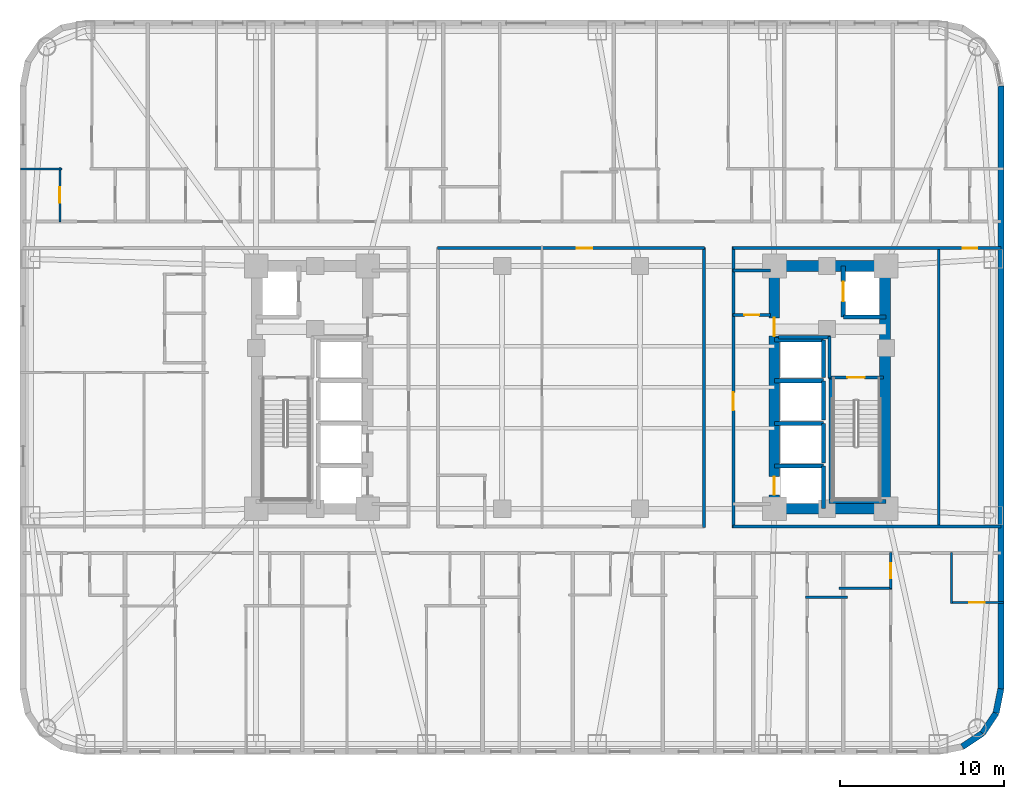
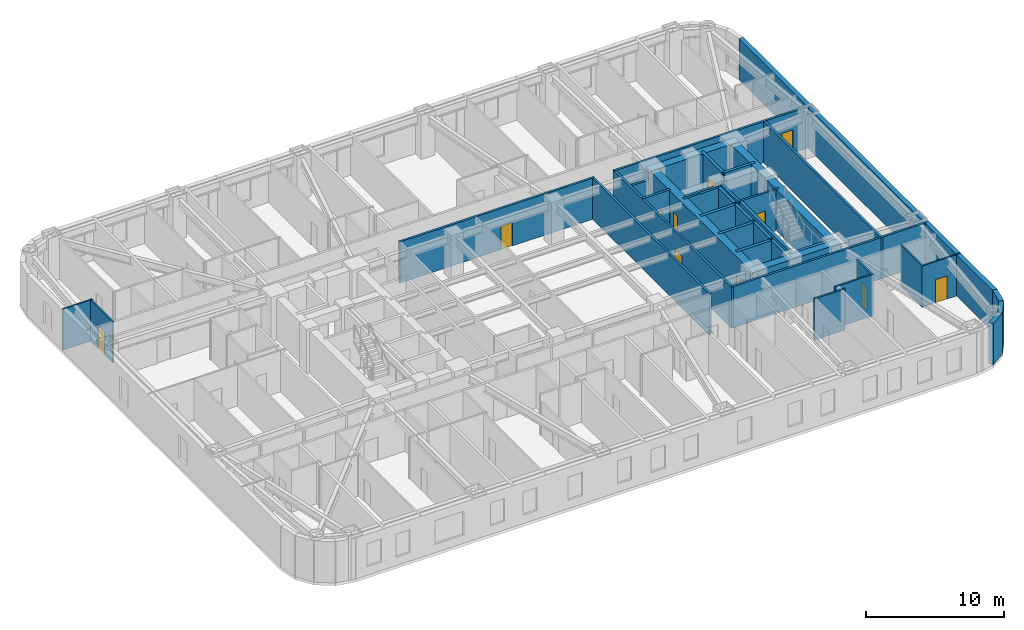
# One storey, part 6 of 11: 38 walls, 11 doors, 11 openings.
"""IFC4 building model written with IfcOpenShell, lengths in metres."""

from ifc_helpers import new_model, si_unit, direction, frame, frame_2d, origin, place, context, subcontext, project, spatial, rectangle, extrude, material, layer, layer_set, type_object, element, fill, save


model = new_model("IFC4")

# Units and contexts
model_context = context("Model", 3, precision=1e-05, world=origin(), true_north=direction((0.0, 1.0)))
body_context = subcontext(model_context, "Body", "Model", "MODEL_VIEW")
ifc_project = project(units=[si_unit("LENGTHUNIT", "METRE"), si_unit("AREAUNIT", "SQUARE_METRE"), si_unit("VOLUMEUNIT", "CUBIC_METRE"), si_unit("PLANEANGLEUNIT", "RADIAN"), si_unit("MASSUNIT", "GRAM", prefix="KILO")], contexts=[model_context])

# Site, building, storey
site_placement = place(None, origin())
site = spatial("IfcSite", under=ifc_project, at=site_placement, CompositionType="ELEMENT")
building_placement = place(site_placement, origin())
building = spatial("IfcBuilding", under=site, at=building_placement, Name="Voryun Gate Residences", CompositionType="ELEMENT")
storey_placement = place(building_placement, frame((0.0, 0.0, 37.699951171875)))
storey = spatial("IfcBuildingStorey", under=building, at=storey_placement, Name="L08", CompositionType="ELEMENT", Elevation=37.699951171875)

# Walls
ifc_material_1 = material(Name="Concrete C60/75", Category="concrete")
ifc_layer_1 = layer(ifc_material_1, 0.64990234375, Name="CW_CORE_650")
ifc_layer_set_1 = layer_set([ifc_layer_1], Name="Concrete C60/75")
wall_type_1 = type_object("IfcWallType", Name="CW_CORE_650", PredefinedType="SHEAR", material=ifc_layer_set_1)
for number, where, z_axis, x_axis, name in (
    (1, (12.074951171875, -7.39990234375, 0.0), (0.0, 0.0, 1.0), (1.0, 0.0, 0.0), "L08 Core shear wall CW-L08-ES"),
    (2, (12.074951171875, 7.39990234375, 0.0), (0.0, 0.0, 1.0), (1.0, 0.0, 0.0), "L08 Core shear wall CW-L08-EN"),
):
    element("IfcWall", number, at=place(storey_placement, frame(where, z_axis=z_axis, x_axis=x_axis)), inside=storey, type_object=wall_type_1, Name=name, PredefinedType="SHEAR", context=body_context, shape_type="SweptSolid", body=[
        extrude(rectangle(XDim=7.449951171875, YDim=0.64990234375, at=frame_2d((3.72509765625, 0.0))), origin(), (0.0, 0.0, 1.0), 3.650146484375),
    ])

# Wall, openings, doors
wall_1_placement = place(storey_placement, frame((12.39990234375, -7.39990234375, 0.0), z_axis=(0.0, 0.0, 1.0), x_axis=(0.0, 1.0, 0.0)))
wall_1 = element("IfcWall", 3, at=wall_1_placement, inside=storey, type_object=wall_type_1, Name="L08 Core shear wall CW-L08-EW", PredefinedType="SHEAR", context=body_context, shape_type="SweptSolid", body=[
    extrude(rectangle(XDim=14.7998046875, YDim=0.64990234375, at=frame_2d((7.39990234375, 0.0))), origin(), (0.0, 0.0, 1.0), 3.650146484375),
])
opening_1_placement = place(wall_1_placement, frame((0.85009765625, 0.0, 0.0)))
opening_1 = element("IfcOpeningElement", 4, at=opening_1_placement, cuts=wall_1, Name="Opening LD2", PredefinedType="OPENING", context=body_context, shape_type="SweptSolid", body=[
    extrude(rectangle(XDim=1.10009765625, YDim=2.050048828125, at=frame_2d((0.550048828125, 1.02490234375))), frame((0.0, 0.3349609375, 0.0), z_axis=(0.0, -1.0, 0.0), x_axis=(1.0, 0.0, 0.0)), (0.0, 0.0, 1.0), 0.669921875),
])
opening_2_placement = place(wall_1_placement, frame((10.530029296875, 0.0, 0.0)))
opening_2 = element("IfcOpeningElement", 5, at=opening_2_placement, cuts=wall_1, Name="Opening D-FD60-2", PredefinedType="OPENING", context=body_context, shape_type="SweptSolid", body=[
    extrude(rectangle(XDim=1.10009765625, YDim=2.050048828125, at=frame_2d((0.550048828125, 1.02490234375))), frame((0.0, 0.3349609375, 0.0), z_axis=(0.0, -1.0, 0.0), x_axis=(1.0, 0.0, 0.0)), (0.0, 0.0, 1.0), 0.669921875),
])
ifc_material_2 = material(Name="Painted steel fire door", Category="steel")
door_type_1 = type_object("IfcDoorType", Name="DR_FD60_FFLOB_1100", OperationType="NOTDEFINED", PredefinedType="DOOR", material=ifc_material_2)
door_1_placement = place(opening_2_placement, origin())
door_1 = element("IfcDoor", 6, at=door_1_placement, inside=storey, type_object=door_type_1, Name="Door DR-L08-CLOB-E", OperationType="SINGLE_SWING_RIGHT", OverallHeight=2.050048828125, OverallWidth=1.10009765625, PredefinedType="DOOR", context=body_context, shape_type="SweptSolid", body=[
    extrude(rectangle(XDim=1.10009765625, YDim=2.050048828125, at=frame_2d((0.550048828125, 1.02490234375))), frame((0.0, 0.02490234375, 0.0), z_axis=(0.0, -1.0, 0.0), x_axis=(1.0, 0.0, 0.0)), (0.0, 0.0, 1.0), 0.050048828125),
])
fill(opening_2, door_1)
ifc_material_3 = material(Name="Anodised aluminium", Category="aluminium")
door_type_2 = type_object("IfcDoorType", Name="DR_LD_PASS_1100", OperationType="NOTDEFINED", PredefinedType="DOOR", material=ifc_material_3)
door_2_placement = place(opening_1_placement, origin())
door_2 = element("IfcDoor", 7, at=door_2_placement, inside=storey, type_object=door_type_2, Name="Lift EL-P3 sliding landing door L08", OperationType="SLIDING_TO_LEFT", OverallHeight=2.050048828125, OverallWidth=1.10009765625, PredefinedType="DOOR", context=body_context, shape_type="SweptSolid", body=[
    extrude(rectangle(XDim=1.10009765625, YDim=2.050048828125, at=frame_2d((0.550048828125, 1.02490234375))), frame((0.0, 0.02490234375, 0.0), z_axis=(0.0, -1.0, 0.0), x_axis=(1.0, 0.0, 0.0)), (0.0, 0.0, 1.0), 0.050048828125),
])
fill(opening_1, door_2)

# Wall
wall_2_placement = place(storey_placement, frame((19.14501953125, -7.39990234375, 0.0), z_axis=(0.0, 0.0, 1.0), x_axis=(0.0, 1.0, 0.0)))
element("IfcWall", 8, at=wall_2_placement, inside=storey, type_object=wall_type_1, Name="L08 Core shear wall CW-L08-EE", PredefinedType="SHEAR", context=body_context, shape_type="SweptSolid", body=[
    extrude(rectangle(XDim=14.7998046875, YDim=0.64990234375, at=frame_2d((7.39990234375, 0.0))), origin(), (0.0, 0.0, 1.0), 3.650146484375),
])

# Wall, opening, door
ifc_material_4 = material(Name="Gypsum acoustic fireboard")
ifc_layer_2 = layer(ifc_material_4, 0.179931640625, Name="W_CORR_RATED_180")
ifc_layer_set_2 = layer_set([ifc_layer_2], Name="Gypsum acoustic fireboard")
wall_type_2 = type_object("IfcWallType", Name="W_CORR_RATED_180", PredefinedType="PARTITIONING", material=ifc_layer_set_2)
wall_3_placement = place(storey_placement, frame((15.699951171875, 0.60009765625, 0.0), z_axis=(0.0, 0.0, 1.0), x_axis=(1.0, 0.0, 0.0)))
wall_3 = element("IfcWall", 9, at=wall_3_placement, inside=storey, type_object=wall_type_2, Name="Partition wall WP-L08-STV-E", PredefinedType="PARTITIONING", context=body_context, shape_type="SweptSolid", body=[
    extrude(rectangle(XDim=3.360107421875, YDim=0.179931640625, at=frame_2d((1.68017578125, 0.0))), origin(), (0.0, 0.0, 1.0), 3.650146484375),
])
opening_3_placement = place(wall_3_placement, frame((1.155029296875, 0.0, 0.0)))
opening_3 = element("IfcOpeningElement", 10, at=opening_3_placement, cuts=wall_3, Name="Opening D-FD60-1", PredefinedType="OPENING", context=body_context, shape_type="SweptSolid", body=[
    extrude(rectangle(XDim=1.050048828125, YDim=2.050048828125, at=frame_2d((0.52490234375, 1.02490234375))), frame((0.0, 0.099853515625, 0.0), z_axis=(0.0, -1.0, 0.0), x_axis=(1.0, 0.0, 0.0)), (0.0, 0.0, 1.0), 0.199951171875),
])
ifc_material_5 = material(Name="Painted steel fire door", Category="steel")
door_type_3 = type_object("IfcDoorType", Name="DR_FD60_STAIR_1050", OperationType="NOTDEFINED", PredefinedType="DOOR", material=ifc_material_5)
door_3_placement = place(opening_3_placement, origin())
door_3 = element("IfcDoor", 11, at=door_3_placement, inside=storey, type_object=door_type_3, Name="Door DR-L08-ST-E", OperationType="SINGLE_SWING_RIGHT", OverallHeight=2.050048828125, OverallWidth=1.050048828125, PredefinedType="DOOR", context=body_context, shape_type="SweptSolid", body=[
    extrude(rectangle(XDim=1.050048828125, YDim=2.050048828125, at=frame_2d((0.52490234375, 1.02490234375))), frame((0.0, 0.02490234375, 0.0), z_axis=(0.0, -1.0, 0.0), x_axis=(1.0, 0.0, 0.0)), (0.0, 0.0, 1.0), 0.050048828125),
])
fill(opening_3, door_3)

# Wall
wall_4_placement = place(storey_placement, frame((9.8798828125, 7.1201171875, 0.0), z_axis=(0.0, 0.0, 1.0), x_axis=(1.0, 0.0, 0.0)))
element("IfcWall", 12, at=wall_4_placement, inside=storey, type_object=wall_type_2, Name="Partition wall WP-L08-PLBN-E", PredefinedType="PARTITIONING", context=body_context, shape_type="SweptSolid", body=[
    extrude(rectangle(XDim=2.27001953125, YDim=0.179931640625, at=frame_2d((1.135009765625, 0.0))), origin(), (0.0, 0.0, 1.0), 2.93994140625),
])

# Wall, opening, door
wall_5_placement = place(storey_placement, frame((9.89990234375, -8.580078125, 0.0), z_axis=(0.0, 0.0, 1.0), x_axis=(0.0, 1.0, 0.0)))
wall_5 = element("IfcWall", 13, at=wall_5_placement, inside=storey, type_object=wall_type_2, Name="Partition wall WP-L08-PLBE-FULL", PredefinedType="PARTITIONING", context=body_context, shape_type="SweptSolid", body=[
    extrude(rectangle(XDim=17.16015625, YDim=0.179931640625, at=frame_2d((8.580078125, 0.0))), origin(), (0.0, 0.0, 1.0), 3.650146484375),
])
opening_4_placement = place(wall_5_placement, frame((7.172119140625, 0.0, 0.0)))
opening_4 = element("IfcOpeningElement", 14, at=opening_4_placement, cuts=wall_5, Name="Opening D-FD60-2", PredefinedType="OPENING", context=body_context, shape_type="SweptSolid", body=[
    extrude(rectangle(XDim=1.10009765625, YDim=2.050048828125, at=frame_2d((0.550048828125, 1.02490234375))), frame((0.0, 0.099853515625, 0.0), z_axis=(0.0, -1.0, 0.0), x_axis=(1.0, 0.0, 0.0)), (0.0, 0.0, 1.0), 0.199951171875),
])
door_4_placement = place(opening_4_placement, origin())
door_4 = element("IfcDoor", 15, at=door_4_placement, inside=storey, type_object=door_type_1, Name="Door DR-L08-PLBE-COR", OperationType="SINGLE_SWING_RIGHT", OverallHeight=2.050048828125, OverallWidth=1.10009765625, PredefinedType="DOOR", context=body_context, shape_type="SweptSolid", body=[
    extrude(rectangle(XDim=1.10009765625, YDim=2.050048828125, at=frame_2d((0.550048828125, 1.02490234375))), frame((0.0, 0.02490234375, 0.0), z_axis=(0.0, -1.0, 0.0), x_axis=(1.0, 0.0, 0.0)), (0.0, 0.0, 1.0), 0.050048828125),
])
fill(opening_4, door_4)

wall_6_placement = place(storey_placement, frame((9.8798828125, 8.489990234375, 0.0), z_axis=(0.0, 0.0, 1.0), x_axis=(1.0, 0.0, 0.0)))
wall_6 = element("IfcWall", 16, at=wall_6_placement, inside=storey, type_object=wall_type_2, Name="Partition wall WP-L08-CWING-EN", PredefinedType="PARTITIONING", context=body_context, shape_type="SweptSolid", body=[
    extrude(rectangle(XDim=16.330078125, YDim=0.179931640625, at=frame_2d((8.1650390625, 0.0))), origin(), (0.0, 0.0, 1.0), 3.650146484375),
])
opening_5_placement = place(wall_6_placement, frame((13.990478515625, 0.0, 0.0)))
opening_5 = element("IfcOpeningElement", 17, at=opening_5_placement, cuts=wall_6, Name="Opening D-INT-2", PredefinedType="OPENING", context=body_context, shape_type="SweptSolid", body=[
    extrude(rectangle(XDim=0.89990234375, YDim=2.050048828125, at=frame_2d((0.449951171875, 1.02490234375))), frame((0.0, 0.099853515625, 0.0), z_axis=(0.0, -1.0, 0.0), x_axis=(1.0, 0.0, 0.0)), (0.0, 0.0, 1.0), 0.199951171875),
])
ifc_material_6 = material(Name="Architectural oak veneer")
door_type_4 = type_object("IfcDoorType", Name="DR_INT_BATH_900", OperationType="NOTDEFINED", PredefinedType="DOOR", material=ifc_material_6)
door_5_placement = place(opening_5_placement, origin())
door_5 = element("IfcDoor", 18, at=door_5_placement, inside=storey, type_object=door_type_4, Name="Door DR-L08-EE1N", OperationType="SINGLE_SWING_LEFT", OverallHeight=2.050048828125, OverallWidth=0.89990234375, PredefinedType="DOOR", context=body_context, shape_type="SweptSolid", body=[
    extrude(rectangle(XDim=0.89990234375, YDim=2.050048828125, at=frame_2d((0.449951171875, 1.02490234375))), frame((0.0, 0.02490234375, 0.0), z_axis=(0.0, -1.0, 0.0), x_axis=(1.0, 0.0, 0.0)), (0.0, 0.0, 1.0), 0.050048828125),
])
fill(opening_5, door_5)

# Wall
wall_7_placement = place(storey_placement, frame((9.8798828125, -8.489990234375, 0.0), z_axis=(0.0, 0.0, 1.0), x_axis=(1.0, 0.0, 0.0)))
element("IfcWall", 19, at=wall_7_placement, inside=storey, type_object=wall_type_2, Name="Partition wall WP-L08-CWING-ES", PredefinedType="PARTITIONING", context=body_context, shape_type="SweptSolid", body=[
    extrude(rectangle(XDim=16.330078125, YDim=0.179931640625, at=frame_2d((8.1650390625, 0.0))), origin(), (0.0, 0.0, 1.0), 3.650146484375),
])

# Wall, opening, door
wall_8_placement = place(storey_placement, frame((-8.14990234375, 8.489990234375, 0.0), z_axis=(0.0, 0.0, 1.0), x_axis=(1.0, 0.0, 0.0)))
wall_8 = element("IfcWall", 20, at=wall_8_placement, inside=storey, type_object=wall_type_2, Name="Partition wall WP-L08-Z1N", PredefinedType="PARTITIONING", context=body_context, shape_type="SweptSolid", body=[
    extrude(rectangle(XDim=16.2998046875, YDim=0.179931640625, at=frame_2d((8.14990234375, 0.0))), origin(), (0.0, 0.0, 1.0), 3.650146484375),
])
opening_6_placement = place(wall_8_placement, frame((8.489990234375, 0.0, 0.0)))
opening_6 = element("IfcOpeningElement", 21, at=opening_6_placement, cuts=wall_8, Name="Opening D-INT-1", PredefinedType="OPENING", context=body_context, shape_type="SweptSolid", body=[
    extrude(rectangle(XDim=0.949951171875, YDim=2.050048828125, at=frame_2d((0.47509765625, 1.02490234375))), frame((0.0, 0.099853515625, 0.0), z_axis=(0.0, -1.0, 0.0), x_axis=(1.0, 0.0, 0.0)), (0.0, 0.0, 1.0), 0.199951171875),
])
ifc_material_7 = material(Name="Architectural oak veneer")
door_type_5 = type_object("IfcDoorType", Name="DR_INT_ROOM_950", OperationType="NOTDEFINED", PredefinedType="DOOR", material=ifc_material_7)
door_6_placement = place(opening_6_placement, origin())
door_6 = element("IfcDoor", 22, at=door_6_placement, inside=storey, type_object=door_type_5, Name="Door DR-L08-CMIDZ1N", OperationType="SINGLE_SWING_LEFT", OverallHeight=2.050048828125, OverallWidth=0.949951171875, PredefinedType="DOOR", context=body_context, shape_type="SweptSolid", body=[
    extrude(rectangle(XDim=0.949951171875, YDim=2.050048828125, at=frame_2d((0.47509765625, 1.02490234375))), frame((0.0, 0.02490234375, 0.0), z_axis=(0.0, -1.0, 0.0), x_axis=(1.0, 0.0, 0.0)), (0.0, 0.0, 1.0), 0.050048828125),
])
fill(opening_6, door_6)

# Walls
wall_9_placement = place(storey_placement, frame((8.10009765625, -8.530029296875, 0.0), z_axis=(0.0, 0.0, 1.0), x_axis=(0.0, 1.0, 0.0)))
element("IfcWall", 23, at=wall_9_placement, inside=storey, type_object=wall_type_2, Name="Partition wall WP-L08-Z1E", PredefinedType="PARTITIONING", context=body_context, shape_type="SweptSolid", body=[
    extrude(rectangle(XDim=17.06005859375, YDim=0.179931640625, at=frame_2d((8.530029296875, 0.0))), origin(), (0.0, 0.0, 1.0), 3.650146484375),
])
wall_10_placement = place(storey_placement, frame((22.419921875, -8.580078125, 0.0), z_axis=(0.0, 0.0, 1.0), x_axis=(0.0, 1.0, 0.0)))
element("IfcWall", 24, at=wall_10_placement, inside=storey, type_object=wall_type_2, Name="Partition wall WP-L08-EEND", PredefinedType="PARTITIONING", context=body_context, shape_type="SweptSolid", body=[
    extrude(rectangle(XDim=17.16015625, YDim=0.179931640625, at=frame_2d((8.580078125, 0.0))), origin(), (0.0, 0.0, 1.0), 3.650146484375),
])
ifc_material_8 = material(Name="Granite masonry", Category="masonry")
ifc_layer_3 = layer(ifc_material_8, 0.3798828125, Name="W_EXT_GRANITE_380")
ifc_layer_set_3 = layer_set([ifc_layer_3], Name="Granite masonry")
wall_type_3 = type_object("IfcWallType", Name="W_EXT_GRANITE_380", PredefinedType="ELEMENTEDWALL", material=ifc_layer_set_3)
wall_11_placement = place(storey_placement, frame((26.2099609375, 18.38134765625, 0.0), z_axis=(0.0, 0.0, 1.0), x_axis=(0.0, -1.0, 0.0)))
element("IfcWall", 25, at=wall_11_placement, inside=storey, type_object=wall_type_3, Name="Exterior wall WEXT-L08-16", PredefinedType="ELEMENTEDWALL", context=body_context, shape_type="SweptSolid", body=[
    extrude(rectangle(XDim=36.7626953125, YDim=0.3798828125, at=frame_2d((18.38134765625, 0.0))), origin(), (0.0, 0.0, 1.0), 3.650146484375),
])
wall_12_placement = place(storey_placement, frame((26.2099609375, -18.38134765625, 0.0), z_axis=(0.0, 0.0, 1.0), x_axis=(-0.195086038585, -0.980786132421, 0.0)))
element("IfcWall", 26, at=wall_12_placement, inside=storey, type_object=wall_type_3, Name="Exterior wall WEXT-L08-17", PredefinedType="ELEMENTEDWALL", context=body_context, shape_type="SweptSolid", body=[
    extrude(rectangle(XDim=1.504150390625, YDim=0.3798828125, at=frame_2d((0.751953125, 0.0))), origin(), (0.0, 0.0, 1.0), 3.650146484375),
])
for number, where, z_axis, x_axis, name in (
    (27, (25.91650390625, -19.856689453125, 0.0), (0.0, 0.0, 1.0), (-0.555686231674, -0.831392092774, 0.0), "Exterior wall WEXT-L08-18"),
    (28, (25.09130859375, -21.09130859375, 0.0), (0.0, 0.0, 1.0), (-0.831392092774, -0.555686231674, 0.0), "Exterior wall WEXT-L08-19"),
):
    element("IfcWall", number, at=place(storey_placement, frame(where, z_axis=z_axis, x_axis=x_axis)), inside=storey, type_object=wall_type_3, Name=name, PredefinedType="ELEMENTEDWALL", context=body_context, shape_type="SweptSolid", body=[
        extrude(rectangle(XDim=1.485107421875, YDim=0.3798828125, at=frame_2d((0.74267578125, 0.0))), origin(), (0.0, 0.0, 1.0), 3.650146484375),
    ])
ifc_material_9 = material(Name="Concrete C40/50", Category="concrete")
ifc_layer_4 = layer(ifc_material_9, 0.199951171875, Name="W_FF_LOBBY_200")
ifc_layer_set_4 = layer_set([ifc_layer_4], Name="Concrete C40/50")
wall_type_4 = type_object("IfcWallType", Name="W_FF_LOBBY_200", PredefinedType="PARTITIONING", material=ifc_layer_set_4)
wall_13_placement = place(storey_placement, frame((15.760009765625, 0.580078125, 0.0), z_axis=(0.0, 0.0, 1.0), x_axis=(0.0, 1.0, 0.0)))
element("IfcWall", 29, at=wall_13_placement, inside=storey, type_object=wall_type_4, Name="Partition wall WP-L08-FFP0-E", PredefinedType="PARTITIONING", context=body_context, shape_type="SweptSolid", body=[
    extrude(rectangle(XDim=2.52001953125, YDim=0.199951171875, at=frame_2d((1.260009765625, 0.0))), origin(), (0.0, 0.0, 1.0), 3.650146484375),
])
wall_14_placement = place(storey_placement, frame((12.659912109375, 3.06005859375, 0.0), z_axis=(0.0, 0.0, 1.0), x_axis=(1.0, 0.0, 0.0)))
element("IfcWall", 30, at=wall_14_placement, inside=storey, type_object=wall_type_4, Name="Partition wall WP-L08-FFPS-E", PredefinedType="PARTITIONING", context=body_context, shape_type="SweptSolid", body=[
    extrude(rectangle(XDim=3.16015625, YDim=0.199951171875, at=frame_2d((1.580078125, 0.0))), origin(), (0.0, 0.0, 1.0), 3.650146484375),
])

# Wall, opening, door
wall_15_placement = place(storey_placement, frame((9.8798828125, 4.409912109375, 0.0), z_axis=(0.0, 0.0, 1.0), x_axis=(1.0, 0.0, 0.0)))
wall_15 = element("IfcWall", 31, at=wall_15_placement, inside=storey, type_object=wall_type_4, Name="Partition wall WP-L08-CSFLKS-E", PredefinedType="PARTITIONING", context=body_context, shape_type="SweptSolid", body=[
    extrude(rectangle(XDim=2.27001953125, YDim=0.199951171875, at=frame_2d((1.135009765625, 0.0))), origin(), (0.0, 0.0, 1.0), 3.650146484375),
])
opening_7_placement = place(wall_15_placement, frame((0.68505859375, 0.0, 0.0)))
opening_7 = element("IfcOpeningElement", 32, at=opening_7_placement, cuts=wall_15, Name="Opening D-FD60-4", PredefinedType="OPENING", context=body_context, shape_type="SweptSolid", body=[
    extrude(rectangle(XDim=0.89990234375, YDim=2.050048828125, at=frame_2d((0.449951171875, 1.02490234375))), frame((0.0, 0.110107421875, 0.0), z_axis=(0.0, -1.0, 0.0), x_axis=(1.0, 0.0, 0.0)), (0.0, 0.0, 1.0), 0.219970703125),
])
ifc_material_10 = material(Name="Painted steel fire door", Category="steel")
door_type_6 = type_object("IfcDoorType", Name="DR_FD60_RISER_900", OperationType="NOTDEFINED", PredefinedType="DOOR", material=ifc_material_10)
door_7_placement = place(opening_7_placement, origin())
door_7 = element("IfcDoor", 33, at=door_7_placement, inside=storey, type_object=door_type_6, Name="Door DR-L08-CSFLK-E", OperationType="SINGLE_SWING_RIGHT", OverallHeight=2.050048828125, OverallWidth=0.89990234375, PredefinedType="DOOR", context=body_context, shape_type="SweptSolid", body=[
    extrude(rectangle(XDim=0.89990234375, YDim=2.050048828125, at=frame_2d((0.449951171875, 1.02490234375))), frame((0.0, 0.02490234375, 0.0), z_axis=(0.0, -1.0, 0.0), x_axis=(1.0, 0.0, 0.0)), (0.0, 0.0, 1.0), 0.050048828125),
])
fill(opening_7, door_7)

# Walls
ifc_material_11 = material(Name="Concrete C50/60", Category="concrete")
ifc_layer_5 = layer(ifc_material_11, 0.25, Name="W_SHAFT_RC250")
ifc_layer_set_5 = layer_set([ifc_layer_5], Name="Concrete C50/60")
wall_type_5 = type_object("IfcWallType", Name="W_SHAFT_RC250", PredefinedType="SOLIDWALL", material=ifc_layer_set_5)
wall_16_placement = place(storey_placement, frame((15.860107421875, -7.0849609375, 0.0), z_axis=(0.0, 0.0, 1.0), x_axis=(0.0, 1.0, 0.0)))
element("IfcWall", 34, at=wall_16_placement, inside=storey, type_object=wall_type_5, Name="L08 Stair shaft structural wall E-STL", PredefinedType="SOLIDWALL", context=body_context, shape_type="SweptSolid", body=[
    extrude(rectangle(XDim=7.68505859375, YDim=0.25, at=frame_2d((3.842529296875, 0.0))), origin(), (0.0, 0.0, 1.0), 3.650146484375),
])
wall_17_placement = place(storey_placement, frame((15.739990234375, -6.965087890625, 0.0), z_axis=(0.0, 0.0, 1.0), x_axis=(1.0, 0.0, 0.0)))
element("IfcWall", 35, at=wall_17_placement, inside=storey, type_object=wall_type_5, Name="L08 Stair shaft structural wall E-STS", PredefinedType="SOLIDWALL", context=body_context, shape_type="SweptSolid", body=[
    extrude(rectangle(XDim=3.4599609375, YDim=0.25, at=frame_2d((1.72998046875, 0.0))), origin(), (0.0, 0.0, 1.0), 3.650146484375),
])
wall_18_placement = place(storey_placement, frame((16.60009765625, 4.300048828125, 0.0), z_axis=(0.0, 0.0, 1.0), x_axis=(1.0, 0.0, 0.0)))
element("IfcWall", 36, at=wall_18_placement, inside=storey, type_object=wall_type_5, Name="Lift shaft wall WSH-L08-EL-FF-E1-S", PredefinedType="SOLIDWALL", context=body_context, shape_type="SweptSolid", body=[
    extrude(rectangle(XDim=2.599853515625, YDim=0.25, at=frame_2d((1.2998046875, 0.0))), origin(), (0.0, 0.0, 1.0), 3.650146484375),
])

# Wall, opening, door
wall_19_placement = place(storey_placement, frame((16.60009765625, 7.39990234375, 0.0), z_axis=(0.0, 0.0, 1.0), x_axis=(0.0, -1.0, 0.0)))
wall_19 = element("IfcWall", 37, at=wall_19_placement, inside=storey, type_object=wall_type_5, Name="Lift shaft wall WSH-L08-EL-FF-E1-W", PredefinedType="SOLIDWALL", context=body_context, shape_type="SweptSolid", body=[
    extrude(rectangle(XDim=3.099853515625, YDim=0.25, at=frame_2d((1.5498046875, 0.0))), origin(), (0.0, 0.0, 1.0), 3.650146484375),
])
opening_8_placement = place(wall_19_placement, frame((0.949951171875, 0.0, 0.0)))
opening_8 = element("IfcOpeningElement", 38, at=opening_8_placement, cuts=wall_19, Name="Opening LD1", PredefinedType="OPENING", context=body_context, shape_type="SweptSolid", body=[
    extrude(rectangle(XDim=1.199951171875, YDim=2.050048828125, at=frame_2d((0.60009765625, 1.02490234375))), frame((0.0, 0.135009765625, 0.0), z_axis=(0.0, -1.0, 0.0), x_axis=(1.0, 0.0, 0.0)), (0.0, 0.0, 1.0), 0.27001953125),
])
ifc_material_12 = material(Name="Anodised aluminium", Category="aluminium")
door_type_7 = type_object("IfcDoorType", Name="DR_LD_FF_1200", OperationType="NOTDEFINED", PredefinedType="DOOR", material=ifc_material_12)
door_8_placement = place(opening_8_placement, origin())
door_8 = element("IfcDoor", 39, at=door_8_placement, inside=storey, type_object=door_type_7, Name="Lift EL-FF-E1 sliding landing door L08", OperationType="SLIDING_TO_LEFT", OverallHeight=2.050048828125, OverallWidth=1.199951171875, PredefinedType="DOOR", context=body_context, shape_type="SweptSolid", body=[
    extrude(rectangle(XDim=1.199951171875, YDim=2.050048828125, at=frame_2d((0.60009765625, 1.02490234375))), frame((0.0, 0.02490234375, 0.0), z_axis=(0.0, -1.0, 0.0), x_axis=(1.0, 0.0, 0.0)), (0.0, 0.0, 1.0), 0.050048828125),
])
fill(opening_8, door_8)

# Walls
wall_20_placement = place(storey_placement, frame((15.39990234375, -7.39990234375, 0.0), z_axis=(0.0, 0.0, 1.0), x_axis=(0.0, 1.0, 0.0)))
element("IfcWall", 40, at=wall_20_placement, inside=storey, type_object=wall_type_5, Name="Lift shaft wall WSH-L08-EL-P3-E", PredefinedType="SOLIDWALL", context=body_context, shape_type="SweptSolid", body=[
    extrude(rectangle(XDim=2.599853515625, YDim=0.25, at=frame_2d((1.2998046875, 0.0))), origin(), (0.0, 0.0, 1.0), 3.650146484375),
])
wall_21_placement = place(storey_placement, frame((15.39990234375, -4.800048828125, 0.0), z_axis=(0.0, 0.0, 1.0), x_axis=(-1.0, 0.0, 0.0)))
element("IfcWall", 41, at=wall_21_placement, inside=storey, type_object=wall_type_5, Name="Lift shaft wall WSH-L08-EL-P3-N", PredefinedType="SOLIDWALL", context=body_context, shape_type="SweptSolid", body=[
    extrude(rectangle(XDim=3.0, YDim=0.25, at=frame_2d((1.5, 0.0))), origin(), (0.0, 0.0, 1.0), 3.650146484375),
])
wall_22_placement = place(storey_placement, frame((15.39990234375, -4.60009765625, 0.0), z_axis=(0.0, 0.0, 1.0), x_axis=(0.0, 1.0, 0.0)))
element("IfcWall", 42, at=wall_22_placement, inside=storey, type_object=wall_type_5, Name="Lift shaft wall WSH-L08-EL-P5-E", PredefinedType="SOLIDWALL", context=body_context, shape_type="SweptSolid", body=[
    extrude(rectangle(XDim=2.400146484375, YDim=0.25, at=frame_2d((1.2001953125, 0.0))), origin(), (0.0, 0.0, 1.0), 3.650146484375),
])
wall_23_placement = place(storey_placement, frame((15.39990234375, -2.199951171875, 0.0), z_axis=(0.0, 0.0, 1.0), x_axis=(-1.0, 0.0, 0.0)))
element("IfcWall", 43, at=wall_23_placement, inside=storey, type_object=wall_type_5, Name="Lift shaft wall WSH-L08-EL-P5-N", PredefinedType="SOLIDWALL", context=body_context, shape_type="SweptSolid", body=[
    extrude(rectangle(XDim=3.0, YDim=0.25, at=frame_2d((1.5, 0.0))), origin(), (0.0, 0.0, 1.0), 3.650146484375),
])
wall_24_placement = place(storey_placement, frame((15.39990234375, -2.0, 0.0), z_axis=(0.0, 0.0, 1.0), x_axis=(0.0, 1.0, 0.0)))
element("IfcWall", 44, at=wall_24_placement, inside=storey, type_object=wall_type_5, Name="Lift shaft wall WSH-L08-EL-P6-E", PredefinedType="SOLIDWALL", context=body_context, shape_type="SweptSolid", body=[
    extrude(rectangle(XDim=2.39990234375, YDim=0.25, at=frame_2d((1.199951171875, 0.0))), origin(), (0.0, 0.0, 1.0), 3.650146484375),
])
wall_25_placement = place(storey_placement, frame((15.39990234375, 0.39990234375, 0.0), z_axis=(0.0, 0.0, 1.0), x_axis=(-1.0, 0.0, 0.0)))
element("IfcWall", 45, at=wall_25_placement, inside=storey, type_object=wall_type_5, Name="Lift shaft wall WSH-L08-EL-P6-N", PredefinedType="SOLIDWALL", context=body_context, shape_type="SweptSolid", body=[
    extrude(rectangle(XDim=3.0, YDim=0.25, at=frame_2d((1.5, 0.0))), origin(), (0.0, 0.0, 1.0), 3.650146484375),
])
wall_26_placement = place(storey_placement, frame((15.39990234375, 0.60009765625, 0.0), z_axis=(0.0, 0.0, 1.0), x_axis=(0.0, 1.0, 0.0)))
element("IfcWall", 46, at=wall_26_placement, inside=storey, type_object=wall_type_5, Name="Lift shaft wall WSH-L08-EL-P8-E", PredefinedType="SOLIDWALL", context=body_context, shape_type="SweptSolid", body=[
    extrude(rectangle(XDim=2.2998046875, YDim=0.25, at=frame_2d((1.14990234375, 0.0))), origin(), (0.0, 0.0, 1.0), 3.650146484375),
])
wall_27_placement = place(storey_placement, frame((15.39990234375, 2.89990234375, 0.0), z_axis=(0.0, 0.0, 1.0), x_axis=(-1.0, 0.0, 0.0)))
element("IfcWall", 47, at=wall_27_placement, inside=storey, type_object=wall_type_5, Name="Lift shaft wall WSH-L08-EL-P8-N", PredefinedType="SOLIDWALL", context=body_context, shape_type="SweptSolid", body=[
    extrude(rectangle(XDim=3.0, YDim=0.25, at=frame_2d((1.5, 0.0))), origin(), (0.0, 0.0, 1.0), 3.650146484375),
])

# Wall, opening, door
ifc_material_13 = material(Name="Gypsum acoustic partition")
ifc_layer_6 = layer(ifc_material_13, 0.125, Name="W_UNIT_PART_125")
ifc_layer_set_6 = layer_set([ifc_layer_6], Name="Gypsum acoustic partition")
wall_type_6 = type_object("IfcWallType", Name="W_UNIT_PART_125", PredefinedType="PARTITIONING", material=ifc_layer_set_6)
wall_28_placement = place(storey_placement, frame((-31.16796875, 10.080078125, 0.0), z_axis=(0.0, 0.0, 1.0), x_axis=(0.0, 1.0, 0.0)))
wall_28 = element("IfcWall", 48, at=wall_28_placement, inside=storey, type_object=wall_type_6, Name="Partition wall WP-L08-N1-IVK", PredefinedType="PARTITIONING", context=body_context, shape_type="SweptSolid", body=[
    extrude(rectangle(XDim=3.31982421875, YDim=0.125, at=frame_2d((1.659912109375, 0.0))), origin(), (0.0, 0.0, 1.0), 3.650146484375),
])
opening_9_placement = place(wall_28_placement, frame((1.18505859375, 0.0, 0.0)))
opening_9 = element("IfcOpeningElement", 49, at=opening_9_placement, cuts=wall_28, Name="Opening D-INT-1", PredefinedType="OPENING", context=body_context, shape_type="SweptSolid", body=[
    extrude(rectangle(XDim=0.949951171875, YDim=2.050048828125, at=frame_2d((0.47509765625, 1.02490234375))), frame((0.0, 0.072509765625, 0.0), z_axis=(0.0, -1.0, 0.0), x_axis=(1.0, 0.0, 0.0)), (0.0, 0.0, 1.0), 0.14501953125),
])
door_9_placement = place(opening_9_placement, origin())
door_9 = element("IfcDoor", 50, at=door_9_placement, inside=storey, type_object=door_type_5, Name="Door DR-L08-N1-DK", OperationType="SINGLE_SWING_LEFT", OverallHeight=2.050048828125, OverallWidth=0.949951171875, PredefinedType="DOOR", context=body_context, shape_type="SweptSolid", body=[
    extrude(rectangle(XDim=0.949951171875, YDim=2.050048828125, at=frame_2d((0.47509765625, 1.02490234375))), frame((0.0, 0.02490234375, 0.0), z_axis=(0.0, -1.0, 0.0), x_axis=(1.0, 0.0, 0.0)), (0.0, 0.0, 1.0), 0.050048828125),
])
fill(opening_9, door_9)

# Wall
wall_29_placement = place(storey_placement, frame((-33.56005859375, 13.320068359375, 0.0), z_axis=(0.0, 0.0, 1.0), x_axis=(1.0, 0.0, 0.0)))
element("IfcWall", 51, at=wall_29_placement, inside=storey, type_object=wall_type_6, Name="Partition wall WP-L08-N1-HZK", PredefinedType="PARTITIONING", context=body_context, shape_type="SweptSolid", body=[
    extrude(rectangle(XDim=2.511962890625, YDim=0.125, at=frame_2d((1.255859375, 0.0))), origin(), (0.0, 0.0, 1.0), 3.650146484375),
])

# Wall, opening, door
wall_30_placement = place(storey_placement, frame((23.1298828125, -13.1201171875, 0.0), z_axis=(0.0, 0.0, 1.0), x_axis=(1.0, 0.0, 0.0)))
wall_30 = element("IfcWall", 52, at=wall_30_placement, inside=storey, type_object=wall_type_6, Name="Partition wall WP-L08-S8-KHY", PredefinedType="PARTITIONING", context=body_context, shape_type="SweptSolid", body=[
    extrude(rectangle(XDim=3.230224609375, YDim=0.125, at=frame_2d((1.615234375, 0.0))), origin(), (0.0, 0.0, 1.0), 3.650146484375),
])
opening_10_placement = place(wall_30_placement, frame((1.139892578125, 0.0, 0.0)))
opening_10 = element("IfcOpeningElement", 53, at=opening_10_placement, cuts=wall_30, Name="Opening D-INT-1", PredefinedType="OPENING", context=body_context, shape_type="SweptSolid", body=[
    extrude(rectangle(XDim=0.949951171875, YDim=2.050048828125, at=frame_2d((0.47509765625, 1.02490234375))), frame((0.0, 0.072509765625, 0.0), z_axis=(0.0, -1.0, 0.0), x_axis=(1.0, 0.0, 0.0)), (0.0, 0.0, 1.0), 0.14501953125),
])
door_10_placement = place(opening_10_placement, origin())
door_10 = element("IfcDoor", 54, at=door_10_placement, inside=storey, type_object=door_type_5, Name="Door DR-L08-S8-DK", OperationType="SINGLE_SWING_LEFT", OverallHeight=2.050048828125, OverallWidth=0.949951171875, PredefinedType="DOOR", context=body_context, shape_type="SweptSolid", body=[
    extrude(rectangle(XDim=0.949951171875, YDim=2.050048828125, at=frame_2d((0.47509765625, 1.02490234375))), frame((0.0, 0.02490234375, 0.0), z_axis=(0.0, -1.0, 0.0), x_axis=(1.0, 0.0, 0.0)), (0.0, 0.0, 1.0), 0.050048828125),
])
fill(opening_10, door_10)

# Walls
wall_31_placement = place(storey_placement, frame((23.18994140625, -13.179931640625, 0.0), z_axis=(0.0, 0.0, 1.0), x_axis=(0.0, 1.0, 0.0)))
element("IfcWall", 55, at=wall_31_placement, inside=storey, type_object=wall_type_6, Name="Partition wall WP-L08-S8-KVX", PredefinedType="PARTITIONING", context=body_context, shape_type="SweptSolid", body=[
    extrude(rectangle(XDim=3.099853515625, YDim=0.125, at=frame_2d((1.5498046875, 0.0))), origin(), (0.0, 0.0, 1.0), 3.650146484375),
])
ifc_material_14 = material(Name="Gypsum moisture-resistant partition")
ifc_layer_7 = layer(ifc_material_14, 0.14990234375, Name="W_WET_PLUMB_150")
ifc_layer_set_7 = layer_set([ifc_layer_7], Name="Gypsum moisture-resistant partition")
wall_type_7 = type_object("IfcWallType", Name="W_WET_PLUMB_150", PredefinedType="PLUMBINGWALL", material=ifc_layer_set_7)
wall_32_placement = place(storey_placement, frame((14.31005859375, -12.800048828125, 0.0), z_axis=(0.0, 0.0, 1.0), x_axis=(1.0, 0.0, 0.0)))
element("IfcWall", 56, at=wall_32_placement, inside=storey, type_object=wall_type_7, Name="Partition wall WP-L08-S7-SKB", PredefinedType="PLUMBINGWALL", context=body_context, shape_type="SweptSolid", body=[
    extrude(rectangle(XDim=2.550048828125, YDim=0.14990234375, at=frame_2d((1.27490234375, 0.0))), origin(), (0.0, 0.0, 1.0), 3.650146484375),
])
wall_33_placement = place(storey_placement, frame((16.340087890625, -12.239990234375, 0.0), z_axis=(0.0, 0.0, 1.0), x_axis=(1.0, 0.0, 0.0)))
element("IfcWall", 57, at=wall_33_placement, inside=storey, type_object=wall_type_7, Name="Partition wall WP-L08-S8-LHY", PredefinedType="PLUMBINGWALL", context=body_context, shape_type="SweptSolid", body=[
    extrude(rectangle(XDim=3.22900390625, YDim=0.14990234375, at=frame_2d((1.614501953125, 0.0))), origin(), (0.0, 0.0, 1.0), 3.650146484375),
])

# Wall, opening, door
wall_34_placement = place(storey_placement, frame((19.489013671875, -12.280029296875, 0.0), z_axis=(0.0, 0.0, 1.0), x_axis=(0.0, 1.0, 0.0)))
wall_34 = element("IfcWall", 58, at=wall_34_placement, inside=storey, type_object=wall_type_7, Name="Partition wall WP-L08-S8-LVX2", PredefinedType="PLUMBINGWALL", context=body_context, shape_type="SweptSolid", body=[
    extrude(rectangle(XDim=2.199951171875, YDim=0.14990234375, at=frame_2d((1.10009765625, 0.0))), origin(), (0.0, 0.0, 1.0), 3.650146484375),
])
opening_11_placement = place(wall_34_placement, frame((0.64990234375, 0.0, 0.0)))
opening_11 = element("IfcOpeningElement", 59, at=opening_11_placement, cuts=wall_34, Name="Opening D-INT-2", PredefinedType="OPENING", context=body_context, shape_type="SweptSolid", body=[
    extrude(rectangle(XDim=0.89990234375, YDim=2.050048828125, at=frame_2d((0.449951171875, 1.02490234375))), frame((0.0, 0.0849609375, 0.0), z_axis=(0.0, -1.0, 0.0), x_axis=(1.0, 0.0, 0.0)), (0.0, 0.0, 1.0), 0.169921875),
])
door_11_placement = place(opening_11_placement, origin())
door_11 = element("IfcDoor", 60, at=door_11_placement, inside=storey, type_object=door_type_4, Name="Door DR-L08-S8-DB", OperationType="SINGLE_SWING_RIGHT", OverallHeight=2.050048828125, OverallWidth=0.89990234375, PredefinedType="DOOR", context=body_context, shape_type="SweptSolid", body=[
    extrude(rectangle(XDim=0.89990234375, YDim=2.050048828125, at=frame_2d((0.449951171875, 1.02490234375))), frame((0.0, 0.02490234375, 0.0), z_axis=(0.0, -1.0, 0.0), x_axis=(1.0, 0.0, 0.0)), (0.0, 0.0, 1.0), 0.050048828125),
])
fill(opening_11, door_11)

save(model, "model.ifc")
